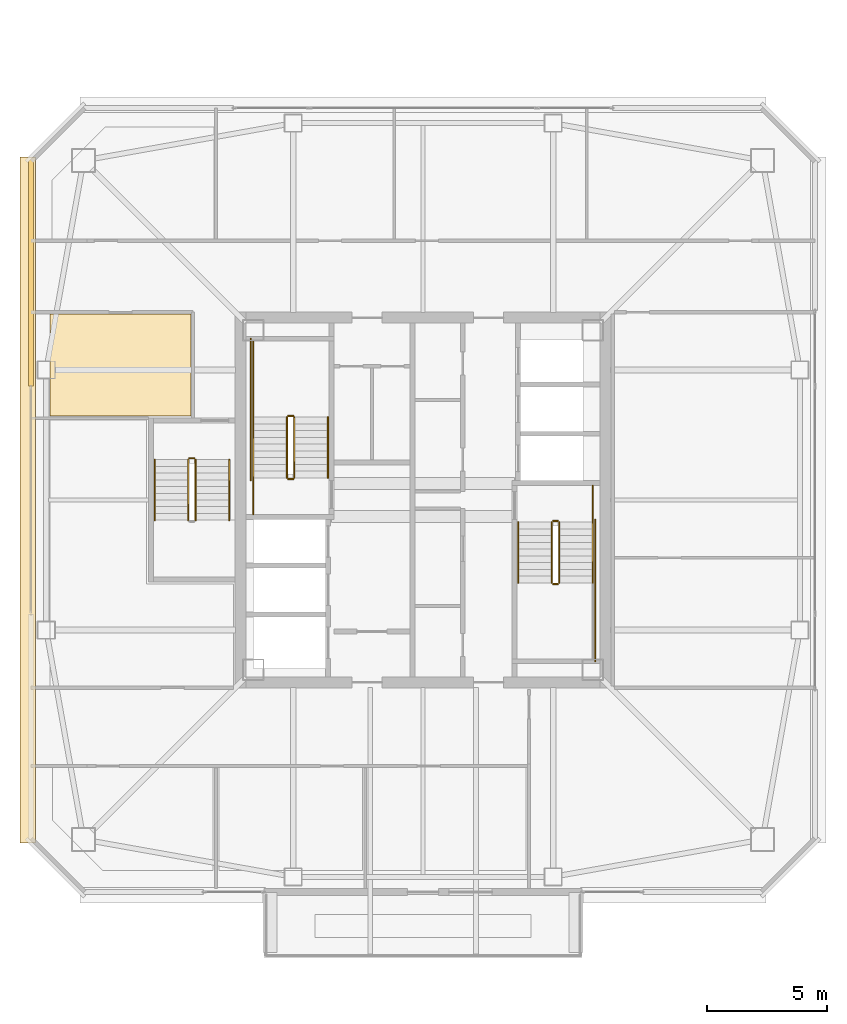
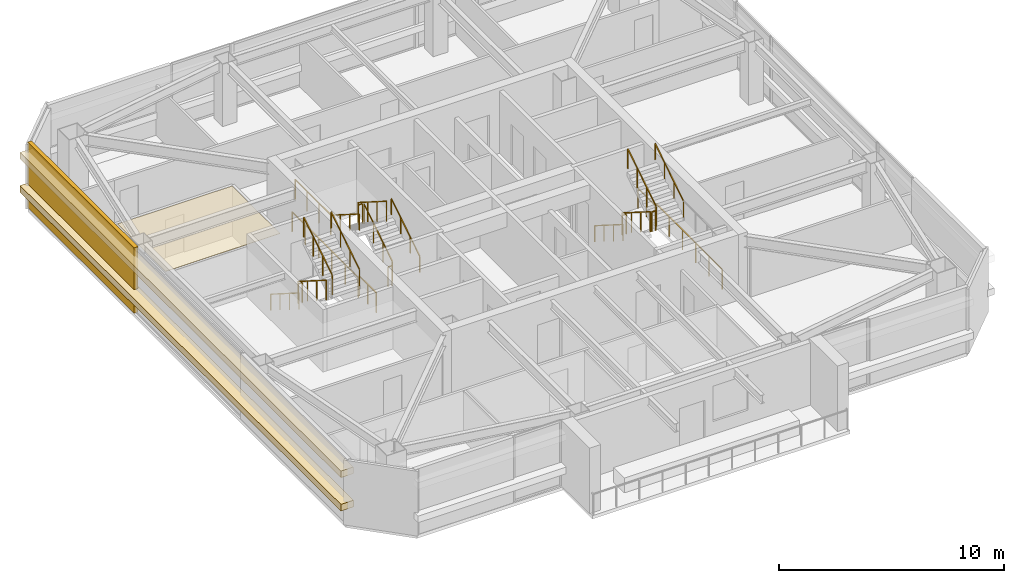
# One storey, part 35 of 39: 22 railings, 4 coverings.
"""IFC4 building model written with IfcOpenShell, lengths in metres."""

import ifcopenshell
import ifcopenshell.guid

model = None  # the IFC model being written
_history = None  # IfcOwnerHistory: only IFC2X3 demands one
_inside = {}  # id of a spatial element -> (the spatial element, [elements in it])
_under = {}  # id of a project, library or spatial element -> (it, [spatial elements below it])
_declared = {}  # id of a project -> (the project, [libraries it declares])
_typed = {}  # id of a type object -> (the type object, [elements of that type])
_made_of = {}  # id of a material, layer set ... -> (it, [elements and type objects made of it])


def new_model(schema):
    """Start an empty IFC model of exactly this schema.

    Asked for "IFC4X3", IfcOpenShell would pick the latest addendum, in which some entities
    have other attributes; the version numbers below select the first issue.
    IFC2X3 requires an IfcOwnerHistory on every rooted entity: one is made here for all.
    """
    global model, _history
    if schema == "IFC4X3":
        model = ifcopenshell.file(schema_version=(4, 3, 0, 0))
    else:
        model = ifcopenshell.file(schema=schema)
    _inside.clear()
    _under.clear()
    _declared.clear()
    _typed.clear()
    _made_of.clear()
    _history = None
    if model.schema == "IFC2X3":
        org = make("IfcOrganization", Name="unknown")
        user = make(
            "IfcPersonAndOrganization",
            ThePerson=make("IfcPerson", FamilyName="unknown"),
            TheOrganization=org,
        )
        app = make(
            "IfcApplication",
            ApplicationDeveloper=org,
            Version="unknown",
            ApplicationFullName="unknown",
            ApplicationIdentifier="unknown",
        )
        _history = make(
            "IfcOwnerHistory",
            OwningUser=user,
            OwningApplication=app,
            ChangeAction="ADDED",
            CreationDate=0,
        )
    return model


def make(cls, **values):
    """One entity of the class cls with the attributes given. An attribute that is None is left unset."""
    return model.create_entity(
        cls, **{name: value for name, value in values.items() if value is not None}
    )


def rooted(cls, **values):
    """An entity with a GlobalId (a new one), such as an element, a storey or a relation."""
    return make(cls, GlobalId=ifcopenshell.guid.new(), OwnerHistory=_history, **values)


def si_unit(unit_type, name, prefix=None):
    """IfcSIUnit, for example si_unit("LENGTHUNIT", "METRE", prefix="MILLI")."""
    return make("IfcSIUnit", UnitType=unit_type, Prefix=prefix, Name=name)


def assignment(units):
    """IfcUnitAssignment: the units of a project."""
    return None if units is None else make("IfcUnitAssignment", Units=units)


def point(xyz):
    """IfcCartesianPoint."""
    return None if xyz is None else make("IfcCartesianPoint", Coordinates=xyz)


def direction(xyz):
    """IfcDirection."""
    return None if xyz is None else make("IfcDirection", DirectionRatios=xyz)


def frame(location, z_axis=None, x_axis=None):
    """IfcAxis2Placement3D, a coordinate frame: its origin and axes. An axis left out is left unset."""
    return make(
        "IfcAxis2Placement3D",
        Location=point(location),
        Axis=direction(z_axis),
        RefDirection=direction(x_axis),
    )


def frame_2d(location, x_axis=None):
    """IfcAxis2Placement2D, a coordinate frame in the plane: its origin and x axis."""
    return make(
        "IfcAxis2Placement2D", Location=point(location), RefDirection=direction(x_axis)
    )


def origin():
    """The frame at (0, 0, 0) with its axes left unset."""
    return frame((0.0, 0.0, 0.0))


def origin_2d():
    """The frame at (0, 0) in the plane with its x axis left unset."""
    return frame_2d((0.0, 0.0))


def place(relative_to, where):
    """IfcLocalPlacement: puts the frame where relative to a parent placement (None: the world)."""
    return make(
        "IfcLocalPlacement", PlacementRelTo=relative_to, RelativePlacement=where
    )


def context(
    kind, dimensions, precision=None, world=None, true_north=None, identifier=None
):
    """IfcGeometricRepresentationContext, for example the 3D "Model" context."""
    return make(
        "IfcGeometricRepresentationContext",
        ContextIdentifier=identifier,
        ContextType=kind,
        CoordinateSpaceDimension=dimensions,
        Precision=precision,
        WorldCoordinateSystem=world,
        TrueNorth=true_north,
    )


def subcontext(parent, identifier, kind, view, scale=None):
    """IfcGeometricRepresentationSubContext, for example "Body" below "Model"."""
    return make(
        "IfcGeometricRepresentationSubContext",
        ContextIdentifier=identifier,
        ContextType=kind,
        ParentContext=parent,
        TargetScale=scale,
        TargetView=view,
    )


def project(units=None, contexts=None):
    """IfcProject with its units and contexts."""
    return rooted(
        "IfcProject",
        Name="project",
        RepresentationContexts=contexts,
        UnitsInContext=assignment(units),
    )


def spatial(cls, under=None, at=None, **own):
    """A site, building, storey or space (cls), placed at a placement, below another one or the project."""
    s = rooted(cls, ObjectPlacement=at, **own)
    if under is not None:
        _under.setdefault(under.id(), (under, []))[1].append(s)
    return s


def polyline(points):
    """IfcPolyline through the points."""
    return make("IfcPolyline", Points=[point(p) for p in points])


def profile(cls, at=None, kind="AREA", **sizes):
    """A parametric profile (cls). Its sizes go by their IFC names, for example OverallWidth=200.0."""
    return make(cls, ProfileType=kind, Position=at, **sizes)


def rectangle(**sizes):
    """IfcRectangleProfileDef."""
    return profile("IfcRectangleProfileDef", **sizes)


def outline(outer, holes=None, kind="AREA"):
    """IfcArbitraryClosedProfileDef: a profile drawn as a closed curve; with holes, ...WithVoids."""
    if holes is None:
        return make("IfcArbitraryClosedProfileDef", ProfileType=kind, OuterCurve=outer)
    return make(
        "IfcArbitraryProfileDefWithVoids",
        ProfileType=kind,
        OuterCurve=outer,
        InnerCurves=holes,
    )


def extrude(swept, where, along, depth):
    """IfcExtrudedAreaSolid: the profile swept, set in the frame where, extruded along a direction by depth."""
    return make(
        "IfcExtrudedAreaSolid",
        SweptArea=swept,
        Position=where,
        ExtrudedDirection=direction(along),
        Depth=depth,
    )


def shape(context_of_items, identifier, shape_type, items):
    """IfcShapeRepresentation: the items that make up one representation, for example the "Body"."""
    return make(
        "IfcShapeRepresentation",
        ContextOfItems=context_of_items,
        RepresentationIdentifier=identifier,
        RepresentationType=shape_type,
        Items=items,
    )


def material(Name=None, Category=None):
    """IfcMaterial."""
    return make("IfcMaterial", Name=Name, Category=Category)


def layer(
    of_material, thickness, ventilated=None, Name=None, Category=None, Priority=None
):
    """IfcMaterialLayer: one layer of a wall or slab, of a material (None: an air gap)."""
    return make(
        "IfcMaterialLayer",
        Material=of_material,
        LayerThickness=thickness,
        IsVentilated=ventilated,
        Name=Name,
        Category=Category,
        Priority=Priority,
    )


def layer_set(layers, Name=None):
    """IfcMaterialLayerSet."""
    return make("IfcMaterialLayerSet", MaterialLayers=layers, LayerSetName=Name)


def made_of(thing, what):
    """Note that an element or type object is made of a material, layer set ...; save() writes the relation."""
    if what is not None:
        _made_of.setdefault(what.id(), (what, []))[1].append(thing)
    return thing


def type_object(cls, material=None, **own):
    """A type object (cls), such as IfcWallType, which elements share."""
    return made_of(rooted(cls, **own), material)


def element(
    cls,
    number,
    at=None,
    inside=None,
    cuts=None,
    type_object=None,
    material=None,
    context=None,
    identifier="Body",
    shape_type=None,
    held_by="IfcProductDefinitionShape",
    body=None,
    shapes=None,
    **own,
):
    """One element of the class cls, such as IfcWall. Its Tag is "e" and its number.

    at: its placement. inside: the storey or other place that contains it. cuts: it is an
    opening in that element (IfcRelVoidsElement). A single representation is given by context,
    identifier, shape_type and body (its items); several are given by shapes. held_by: the class
    of the entity that holds the representations. save() writes the other relations.
    """
    e = rooted(cls, Tag="e%d" % number, ObjectPlacement=at, **own)
    if body is not None:
        shapes = [shape(context, identifier, shape_type, body)]
    if shapes is not None:
        e.Representation = make(held_by, Representations=shapes)
    if inside is not None:
        _inside.setdefault(inside.id(), (inside, []))[1].append(e)
    if cuts is not None:
        rooted(
            "IfcRelVoidsElement", RelatingBuildingElement=cuts, RelatedOpeningElement=e
        )
    if type_object is not None:
        _typed.setdefault(type_object.id(), (type_object, []))[1].append(e)
    return made_of(e, material)


def aggregate(whole, parts):
    """IfcRelAggregates: a whole, such as a stair, and the parts it consists of."""
    return rooted("IfcRelAggregates", RelatingObject=whole, RelatedObjects=parts)


def save(model, path):
    """Write the relations noted so far, then the file.

    IfcRelAggregates (storeys below a building ...), IfcRelContainedInSpatialStructure (elements
    in a storey), IfcRelDefinesByType, IfcRelAssociatesMaterial and IfcRelDeclares: one each for
    every whole, place, type object, material and project.
    """
    for whole, parts in _under.values():
        aggregate(whole, parts)
    for where, things in _inside.values():
        rooted(
            "IfcRelContainedInSpatialStructure",
            RelatedElements=things,
            RelatingStructure=where,
        )
    for kind, things in _typed.values():
        rooted("IfcRelDefinesByType", RelatedObjects=things, RelatingType=kind)
    for what, things in _made_of.values():
        rooted("IfcRelAssociatesMaterial", RelatedObjects=things, RelatingMaterial=what)
    for by, libraries in _declared.values():
        rooted("IfcRelDeclares", RelatingContext=by, RelatedDefinitions=libraries)
    model.write(path)


model = new_model("IFC4")

# Units and contexts
model_context = context("Model", 3, precision=1e-05, world=origin(), true_north=direction((0.0, 1.0)))
body_context = subcontext(model_context, "Body", "Model", "MODEL_VIEW")
ifc_project = project(units=[si_unit("LENGTHUNIT", "METRE"), si_unit("AREAUNIT", "SQUARE_METRE"), si_unit("VOLUMEUNIT", "CUBIC_METRE"), si_unit("PLANEANGLEUNIT", "RADIAN"), si_unit("MASSUNIT", "GRAM", prefix="KILO")], contexts=[model_context])

# Site, building, storey
site_placement = place(None, origin())
site = spatial("IfcSite", under=ifc_project, at=site_placement, CompositionType="ELEMENT")
building_placement = place(site_placement, origin())
building = spatial("IfcBuilding", under=site, at=building_placement, Name="Tashvorn Skyway Center", CompositionType="ELEMENT")
storey_placement = place(building_placement, frame((0.0, 0.0, 225.5)))
storey = spatial("IfcBuildingStorey", under=building, at=storey_placement, Name="L61", CompositionType="ELEMENT", Elevation=225.5)

# Coverings
ifc_material_1 = material(Name="Precast concrete C40/50", Category="concrete")
ifc_layer_1 = layer(ifc_material_1, 0.199951171875)
ifc_layer_set_1 = layer_set([ifc_layer_1], Name="Precast concrete C40/50")
covering_type_1 = type_object("IfcCoveringType", Name="COV-BRACE-CLAD", PredefinedType="CLADDING", material=ifc_layer_set_1)
covering_1_placement = place(storey_placement, frame((25.719970703125, 41.453369140625, 0.0), z_axis=(0.0, 0.0, 1.0), x_axis=(0.0, 1.0, 0.0)))
element("IfcCovering", 1, at=covering_1_placement, inside=storey, type_object=covering_type_1, Name="Tower 1 L61 West Unitised Curtain Wall Mega-Brace Cladding Band 2", PredefinedType="CLADDING", context=body_context, shape_type="SweptSolid", body=[
    extrude(rectangle(XDim=9.453369140625, YDim=0.199951171875, at=origin_2d()), origin(), (0.0, 0.0, 1.0), 3.550048828125),
])
ifc_material_2 = material(Name="Mineral-fibre acoustic ceiling tile on suspended grid")
ifc_layer_2 = layer(ifc_material_2, 0.02001953125)
ifc_layer_set_2 = layer_set([ifc_layer_2], Name="Mineral-fibre acoustic ceiling tile on suspended grid")
covering_type_2 = type_object("IfcCoveringType", Name="COV-CEIL-20", PredefinedType="CEILING", material=ifc_layer_set_2)
covering_2_placement = place(storey_placement, frame((0.0, 0.0, 2.702880859375)))
element("IfcCovering", 2, at=covering_2_placement, inside=storey, type_object=covering_type_2, Name="Tower 1 L61 Catering Pantry Acoustic Ceiling", PredefinedType="CEILING", context=body_context, shape_type="SweptSolid", body=[
    extrude(outline(polyline([(32.3701171875, 39.719970703125), (32.3701171875, 35.47998046875), (26.5, 35.47998046875), (26.5, 39.719970703125), (32.3701171875, 39.719970703125)])), origin(), (0.0, 0.0, 1.0), 0.02001953125),
])
ifc_material_3 = material(Name="Perforated ceramic-coated bronze aluminium solar screen", Category="aluminium")
ifc_layer_3 = layer(ifc_material_3, 0.85009765625)
ifc_layer_set_3 = layer_set([ifc_layer_3], Name="Perforated ceramic-coated bronze aluminium solar screen")
covering_type_3 = type_object("IfcCoveringType", Name="COV-SOLAR-BAND", PredefinedType="CLADDING", material=ifc_layer_set_3)
for number, where, z_axis, x_axis, name in (
    (3, (25.580078125, 32.0, 0.919921875), (0.0, 0.0, 1.0), (0.0, 1.0, 0.0), "L61 Perforated Ceramic-Metal Solar Screen Louvre Band West 1"),
    (4, (25.580078125, 32.0, 2.7197265625), (0.0, 0.0, 1.0), (0.0, 1.0, 0.0), "L61 Perforated Ceramic-Metal Solar Screen Louvre Band West 2"),
):
    element("IfcCovering", number, at=place(storey_placement, frame(where, z_axis=z_axis, x_axis=x_axis)), inside=storey, type_object=covering_type_3, Name=name, PredefinedType="CLADDING", context=body_context, shape_type="SweptSolid", body=[
        extrude(rectangle(XDim=28.47998046875, YDim=0.639892578125, at=origin_2d()), origin(), (0.0, 0.0, 1.0), 0.360107421875),
    ])

# Railings
ifc_material_4 = material(Name="Brushed stainless steel 316", Category="steel")
railing_type_1 = type_object("IfcRailingType", Name="RAIL-HAND-920", PredefinedType="HANDRAIL", material=ifc_material_4)
railing_1_placement = place(storey_placement, frame((38.050048828125, 32.919921875, 0.177490234375)))
element("IfcRailing", 5, at=railing_1_placement, inside=storey, type_object=railing_type_1, Name="L61 ST-T1-1 stair handrail 1", PredefinedType="HANDRAIL", context=body_context, shape_type="SweptSolid", body=[
    extrude(rectangle(XDim=0.048095703125, YDim=0.048095703125, at=origin_2d()), frame((0.0, 0.0, 0.8759765625), z_axis=(0.0, 0.84460694969, 0.535386869969), x_axis=(-1.0, 0.0, 0.0)), (0.0, 0.0, 1.0), 2.983642578125),
    extrude(rectangle(XDim=0.0419921875, YDim=0.0419921875, at=origin_2d()), origin(), (0.0, 0.0, 1.0), 0.851806640625),
    extrude(rectangle(XDim=0.0419921875, YDim=0.0419921875, at=origin_2d()), frame((0.0, 0.840087890625, 0.532470703125)), (0.0, 0.0, 1.0), 0.851806640625),
    extrude(rectangle(XDim=0.0419921875, YDim=0.0419921875, at=origin_2d()), frame((0.0, 1.679931640625, 1.06494140625)), (0.0, 0.0, 1.0), 0.851806640625),
    extrude(rectangle(XDim=0.0419921875, YDim=0.0419921875, at=origin_2d()), frame((0.0, 2.52001953125, 1.597412109375)), (0.0, 0.0, 1.0), 0.851806640625),
])
railing_2_placement = place(storey_placement, frame((34.949951171875, 35.43994140625, 1.952392578125)))
element("IfcRailing", 6, at=railing_2_placement, inside=storey, type_object=railing_type_1, Name="L61 ST-T1-1 stair handrail 2", PredefinedType="HANDRAIL", context=body_context, shape_type="SweptSolid", body=[
    extrude(rectangle(XDim=0.048095703125, YDim=0.048095703125, at=origin_2d()), frame((0.0, 0.0, 0.8759765625), z_axis=(0.0, -0.84456994832, 0.535445237532), x_axis=(1.0, 0.0, 0.0)), (0.0, 0.0, 1.0), 2.98388671875),
    extrude(rectangle(XDim=0.0419921875, YDim=0.0419921875, at=origin_2d()), origin(), (0.0, 0.0, 1.0), 0.851806640625),
    extrude(rectangle(XDim=0.0419921875, YDim=0.0419921875, at=origin_2d()), frame((0.0, -0.840087890625, 0.532470703125)), (0.0, 0.0, 1.0), 0.851806640625),
    extrude(rectangle(XDim=0.0419921875, YDim=0.0419921875, at=origin_2d()), frame((0.0, -1.679931640625, 1.065185546875)), (0.0, 0.0, 1.0), 0.851806640625),
    extrude(rectangle(XDim=0.0419921875, YDim=0.0419921875, at=origin_2d()), frame((0.0, -2.52001953125, 1.59765625)), (0.0, 0.0, 1.0), 0.851806640625),
])
railing_3_placement = place(storey_placement, frame((45.949951171875, 31.080078125, 0.177490234375)))
element("IfcRailing", 7, at=railing_3_placement, inside=storey, type_object=railing_type_1, Name="L61 ST-T1-2 stair handrail 1", PredefinedType="HANDRAIL", context=body_context, shape_type="SweptSolid", body=[
    extrude(rectangle(XDim=0.048095703125, YDim=0.048095703125, at=origin_2d()), frame((0.0, 0.0, 0.8759765625), z_axis=(0.0, -0.84460694969, 0.535386869969), x_axis=(1.0, 0.0, 0.0)), (0.0, 0.0, 1.0), 2.983642578125),
    extrude(rectangle(XDim=0.0419921875, YDim=0.0419921875, at=origin_2d()), origin(), (0.0, 0.0, 1.0), 0.851806640625),
    extrude(rectangle(XDim=0.0419921875, YDim=0.0419921875, at=origin_2d()), frame((0.0, -0.840087890625, 0.532470703125)), (0.0, 0.0, 1.0), 0.851806640625),
    extrude(rectangle(XDim=0.0419921875, YDim=0.0419921875, at=origin_2d()), frame((0.0, -1.679931640625, 1.06494140625)), (0.0, 0.0, 1.0), 0.851806640625),
    extrude(rectangle(XDim=0.0419921875, YDim=0.0419921875, at=origin_2d()), frame((0.0, -2.52001953125, 1.597412109375)), (0.0, 0.0, 1.0), 0.851806640625),
])
railing_4_placement = place(storey_placement, frame((49.050048828125, 28.56005859375, 1.952392578125)))
element("IfcRailing", 8, at=railing_4_placement, inside=storey, type_object=railing_type_1, Name="L61 ST-T1-2 stair handrail 2", PredefinedType="HANDRAIL", context=body_context, shape_type="SweptSolid", body=[
    extrude(rectangle(XDim=0.048095703125, YDim=0.048095703125, at=origin_2d()), frame((0.0, 0.0, 0.8759765625), z_axis=(0.0, 0.84456994832, 0.535445237532), x_axis=(-1.0, 0.0, 0.0)), (0.0, 0.0, 1.0), 2.98388671875),
    extrude(rectangle(XDim=0.0419921875, YDim=0.0419921875, at=origin_2d()), origin(), (0.0, 0.0, 1.0), 0.851806640625),
    extrude(rectangle(XDim=0.0419921875, YDim=0.0419921875, at=origin_2d()), frame((0.0, 0.840087890625, 0.532470703125)), (0.0, 0.0, 1.0), 0.851806640625),
    extrude(rectangle(XDim=0.0419921875, YDim=0.0419921875, at=origin_2d()), frame((0.0, 1.679931640625, 1.065185546875)), (0.0, 0.0, 1.0), 0.851806640625),
    extrude(rectangle(XDim=0.0419921875, YDim=0.0419921875, at=origin_2d()), frame((0.0, 2.52001953125, 1.59765625)), (0.0, 0.0, 1.0), 0.851806640625),
])
railing_5_placement = place(storey_placement, frame((30.85009765625, 33.679931640625, 0.177490234375)))
element("IfcRailing", 9, at=railing_5_placement, inside=storey, type_object=railing_type_1, Name="L61 ST-T1-3 stair handrail 1", PredefinedType="HANDRAIL", context=body_context, shape_type="SweptSolid", body=[
    extrude(rectangle(XDim=0.048095703125, YDim=0.048095703125, at=origin_2d()), frame((0.0, 0.0, 0.8759765625), z_axis=(0.0, -0.84460694969, 0.535386869969), x_axis=(1.0, 0.0, 0.0)), (0.0, 0.0, 1.0), 2.983642578125),
    extrude(rectangle(XDim=0.0419921875, YDim=0.0419921875, at=origin_2d()), origin(), (0.0, 0.0, 1.0), 0.851806640625),
    extrude(rectangle(XDim=0.0419921875, YDim=0.0419921875, at=origin_2d()), frame((0.0, -0.840087890625, 0.532470703125)), (0.0, 0.0, 1.0), 0.851806640625),
    extrude(rectangle(XDim=0.0419921875, YDim=0.0419921875, at=origin_2d()), frame((0.0, -1.679931640625, 1.06494140625)), (0.0, 0.0, 1.0), 0.851806640625),
    extrude(rectangle(XDim=0.0419921875, YDim=0.0419921875, at=origin_2d()), frame((0.0, -2.52001953125, 1.597412109375)), (0.0, 0.0, 1.0), 0.851806640625),
])
railing_6_placement = place(storey_placement, frame((33.949951171875, 31.159912109375, 1.952392578125)))
element("IfcRailing", 10, at=railing_6_placement, inside=storey, type_object=railing_type_1, Name="L61 ST-T1-3 stair handrail 2", PredefinedType="HANDRAIL", context=body_context, shape_type="SweptSolid", body=[
    extrude(rectangle(XDim=0.048095703125, YDim=0.048095703125, at=origin_2d()), frame((0.0, 0.0, 0.8759765625), z_axis=(0.0, 0.84456994832, 0.535445237532), x_axis=(-1.0, 0.0, 0.0)), (0.0, 0.0, 1.0), 2.98388671875),
    extrude(rectangle(XDim=0.0419921875, YDim=0.0419921875, at=origin_2d()), origin(), (0.0, 0.0, 1.0), 0.851806640625),
    extrude(rectangle(XDim=0.0419921875, YDim=0.0419921875, at=origin_2d()), frame((0.0, 0.840087890625, 0.532470703125)), (0.0, 0.0, 1.0), 0.851806640625),
    extrude(rectangle(XDim=0.0419921875, YDim=0.0419921875, at=origin_2d()), frame((0.0, 1.679931640625, 1.065185546875)), (0.0, 0.0, 1.0), 0.851806640625),
    extrude(rectangle(XDim=0.0419921875, YDim=0.0419921875, at=origin_2d()), frame((0.0, 2.52001953125, 1.59765625)), (0.0, 0.0, 1.0), 0.851806640625),
])
ifc_material_5 = material(Name="Painted galvanized steel S355", Category="steel")
railing_type_2 = type_object("IfcRailingType", Name="RAIL-STGUARD-1100", PredefinedType="GUARDRAIL", material=ifc_material_5)
railing_7_placement = place(storey_placement, frame((36.64990234375, 32.919921875, 0.177490234375)))
element("IfcRailing", 11, at=railing_7_placement, inside=storey, type_object=railing_type_2, Name="L61 ST-T1-1 stair guard 1", PredefinedType="GUARDRAIL", context=body_context, shape_type="SweptSolid", body=[
    extrude(rectangle(XDim=0.048095703125, YDim=0.048095703125, at=origin_2d()), frame((0.0, 0.0, 1.076171875), z_axis=(0.0, 0.84460694969, 0.535386869969), x_axis=(-1.0, 0.0, 0.0)), (0.0, 0.0, 1.0), 2.983642578125),
    extrude(rectangle(XDim=0.0419921875, YDim=0.0419921875, at=origin_2d()), origin(), (0.0, 0.0, 1.0), 1.052001953125),
    extrude(rectangle(XDim=0.0419921875, YDim=0.0419921875, at=origin_2d()), frame((0.0, 0.840087890625, 0.532470703125)), (0.0, 0.0, 1.0), 1.052001953125),
    extrude(rectangle(XDim=0.0419921875, YDim=0.0419921875, at=origin_2d()), frame((0.0, 1.679931640625, 1.06494140625)), (0.0, 0.0, 1.0), 1.052001953125),
    extrude(rectangle(XDim=0.0419921875, YDim=0.0419921875, at=origin_2d()), frame((0.0, 2.52001953125, 1.597412109375)), (0.0, 0.0, 1.0), 1.052001953125),
])
railing_8_placement = place(storey_placement, frame((36.60009765625, 35.489990234375, 1.77490234375)))
element("IfcRailing", 12, at=railing_8_placement, inside=storey, type_object=railing_type_2, Name="L61 ST-T1-1 stair guard 2", PredefinedType="GUARDRAIL", context=body_context, shape_type="SweptSolid", body=[
    extrude(rectangle(XDim=0.048095703125, YDim=0.048095703125, at=origin_2d()), frame((0.0, 0.0, 1.076171875), z_axis=(-1.0, 0.0, 0.0), x_axis=(0.0, -1.0, 0.0)), (0.0, 0.0, 1.0), 0.2001953125),
    extrude(rectangle(XDim=0.0419921875, YDim=0.0419921875, at=origin_2d()), origin(), (0.0, 0.0, 1.0), 1.052001953125),
    extrude(rectangle(XDim=0.0419921875, YDim=0.0419921875, at=origin_2d()), frame((-0.2001953125, 0.0, 0.0)), (0.0, 0.0, 1.0), 1.052001953125),
])
railing_9_placement = place(storey_placement, frame((34.949951171875, 35.43994140625, 1.77490234375)))
element("IfcRailing", 13, at=railing_9_placement, inside=storey, type_object=railing_type_2, Name="L61 ST-T1-1 stair guard 3", PredefinedType="GUARDRAIL", context=body_context, shape_type="SweptSolid", body=[
    extrude(rectangle(XDim=0.048095703125, YDim=0.048095703125, at=origin_2d()), frame((0.0, 0.0, 1.076171875), z_axis=(0.0, 1.0, 0.0), x_axis=(-1.0, 0.0, 0.0)), (0.0, 0.0, 1.0), 3.16015625),
    extrude(rectangle(XDim=0.0419921875, YDim=0.0419921875, at=origin_2d()), origin(), (0.0, 0.0, 1.0), 1.052001953125),
    extrude(rectangle(XDim=0.0419921875, YDim=0.0419921875, at=origin_2d()), frame((0.0, 1.053466796875, 0.0)), (0.0, 0.0, 1.0), 1.052001953125),
    extrude(rectangle(XDim=0.0419921875, YDim=0.0419921875, at=origin_2d()), frame((0.0, 2.106689453125, 0.0)), (0.0, 0.0, 1.0), 1.052001953125),
    extrude(rectangle(XDim=0.0419921875, YDim=0.0419921875, at=origin_2d()), frame((0.0, 3.16015625, 0.0)), (0.0, 0.0, 1.0), 1.052001953125),
])
railing_10_placement = place(storey_placement, frame((36.35009765625, 35.43994140625, 1.952392578125)))
element("IfcRailing", 14, at=railing_10_placement, inside=storey, type_object=railing_type_2, Name="L61 ST-T1-1 stair guard 4", PredefinedType="GUARDRAIL", context=body_context, shape_type="SweptSolid", body=[
    extrude(rectangle(XDim=0.048095703125, YDim=0.048095703125, at=origin_2d()), frame((0.0, 0.0, 1.076171875), z_axis=(0.0, -0.84456994832, 0.535445237532), x_axis=(1.0, 0.0, 0.0)), (0.0, 0.0, 1.0), 2.98388671875),
    extrude(rectangle(XDim=0.0419921875, YDim=0.0419921875, at=origin_2d()), origin(), (0.0, 0.0, 1.0), 1.052001953125),
    extrude(rectangle(XDim=0.0419921875, YDim=0.0419921875, at=origin_2d()), frame((0.0, -0.840087890625, 0.532470703125)), (0.0, 0.0, 1.0), 1.052001953125),
    extrude(rectangle(XDim=0.0419921875, YDim=0.0419921875, at=origin_2d()), frame((0.0, -1.679931640625, 1.065185546875)), (0.0, 0.0, 1.0), 1.052001953125),
    extrude(rectangle(XDim=0.0419921875, YDim=0.0419921875, at=origin_2d()), frame((0.0, -2.52001953125, 1.59765625)), (0.0, 0.0, 1.0), 1.052001953125),
])
railing_11_placement = place(storey_placement, frame((36.60009765625, 32.8701171875, 0.0)))
element("IfcRailing", 15, at=railing_11_placement, inside=storey, type_object=railing_type_2, Name="L61 ST-T1-1 stair guard 5", PredefinedType="GUARDRAIL", context=body_context, shape_type="SweptSolid", body=[
    extrude(rectangle(XDim=0.048095703125, YDim=0.048095703125, at=origin_2d()), frame((0.0, 0.0, 1.076171875), z_axis=(-1.0, 0.0, 0.0), x_axis=(0.0, -1.0, 0.0)), (0.0, 0.0, 1.0), 0.2001953125),
    extrude(rectangle(XDim=0.0419921875, YDim=0.0419921875, at=origin_2d()), origin(), (0.0, 0.0, 1.0), 1.052001953125),
    extrude(rectangle(XDim=0.0419921875, YDim=0.0419921875, at=origin_2d()), frame((-0.2001953125, 0.0, 0.0)), (0.0, 0.0, 1.0), 1.052001953125),
])
railing_12_placement = place(storey_placement, frame((34.949951171875, 31.39990234375, 0.0)))
element("IfcRailing", 16, at=railing_12_placement, inside=storey, type_object=railing_type_2, Name="L61 ST-T1-1 stair guard 6", PredefinedType="GUARDRAIL", context=body_context, shape_type="SweptSolid", body=[
    extrude(rectangle(XDim=0.048095703125, YDim=0.048095703125, at=origin_2d()), frame((0.0, 0.0, 1.076171875), z_axis=(0.0, 1.0, 0.0), x_axis=(-1.0, 0.0, 0.0)), (0.0, 0.0, 1.0), 1.52001953125),
    extrude(rectangle(XDim=0.0419921875, YDim=0.0419921875, at=origin_2d()), origin(), (0.0, 0.0, 1.0), 1.052001953125),
    extrude(rectangle(XDim=0.0419921875, YDim=0.0419921875, at=origin_2d()), frame((0.0, 0.760009765625, 0.0)), (0.0, 0.0, 1.0), 1.052001953125),
    extrude(rectangle(XDim=0.0419921875, YDim=0.0419921875, at=origin_2d()), frame((0.0, 1.52001953125, 0.0)), (0.0, 0.0, 1.0), 1.052001953125),
])
railing_13_placement = place(storey_placement, frame((34.85009765625, 32.820068359375, 0.0)))
element("IfcRailing", 17, at=railing_13_placement, inside=storey, type_object=railing_type_2, Name="L61 ST-T1-1 stair guard 7", PredefinedType="GUARDRAIL", context=body_context, shape_type="SweptSolid", body=[
    extrude(rectangle(XDim=0.048095703125, YDim=0.048095703125, at=origin_2d()), frame((0.0, 0.0, 1.076171875), z_axis=(0.0, 1.0, 0.0), x_axis=(-1.0, 0.0, 0.0)), (0.0, 0.0, 1.0), 5.8798828125),
    extrude(rectangle(XDim=0.0419921875, YDim=0.0419921875, at=origin_2d()), origin(), (0.0, 0.0, 1.0), 1.052001953125),
    extrude(rectangle(XDim=0.0419921875, YDim=0.0419921875, at=origin_2d()), frame((0.0, 1.176025390625, 0.0)), (0.0, 0.0, 1.0), 1.052001953125),
    extrude(rectangle(XDim=0.0419921875, YDim=0.0419921875, at=origin_2d()), frame((0.0, 2.35205078125, 0.0)), (0.0, 0.0, 1.0), 1.052001953125),
    extrude(rectangle(XDim=0.0419921875, YDim=0.0419921875, at=origin_2d()), frame((0.0, 3.52783203125, 0.0)), (0.0, 0.0, 1.0), 1.052001953125),
    extrude(rectangle(XDim=0.0419921875, YDim=0.0419921875, at=origin_2d()), frame((0.0, 4.703857421875, 0.0)), (0.0, 0.0, 1.0), 1.052001953125),
    extrude(rectangle(XDim=0.0419921875, YDim=0.0419921875, at=origin_2d()), frame((0.0, 5.8798828125, 0.0)), (0.0, 0.0, 1.0), 1.052001953125),
])
railing_14_placement = place(storey_placement, frame((47.35009765625, 31.080078125, 0.177490234375)))
element("IfcRailing", 18, at=railing_14_placement, inside=storey, type_object=railing_type_2, Name="L61 ST-T1-2 stair guard 1", PredefinedType="GUARDRAIL", context=body_context, shape_type="SweptSolid", body=[
    extrude(rectangle(XDim=0.048095703125, YDim=0.048095703125, at=origin_2d()), frame((0.0, 0.0, 1.076171875), z_axis=(0.0, -0.84460694969, 0.535386869969), x_axis=(1.0, 0.0, 0.0)), (0.0, 0.0, 1.0), 2.983642578125),
    extrude(rectangle(XDim=0.0419921875, YDim=0.0419921875, at=origin_2d()), origin(), (0.0, 0.0, 1.0), 1.052001953125),
    extrude(rectangle(XDim=0.0419921875, YDim=0.0419921875, at=origin_2d()), frame((0.0, -0.840087890625, 0.532470703125)), (0.0, 0.0, 1.0), 1.052001953125),
    extrude(rectangle(XDim=0.0419921875, YDim=0.0419921875, at=origin_2d()), frame((0.0, -1.679931640625, 1.06494140625)), (0.0, 0.0, 1.0), 1.052001953125),
    extrude(rectangle(XDim=0.0419921875, YDim=0.0419921875, at=origin_2d()), frame((0.0, -2.52001953125, 1.597412109375)), (0.0, 0.0, 1.0), 1.052001953125),
])
railing_15_placement = place(storey_placement, frame((47.39990234375, 28.510009765625, 1.77490234375)))
element("IfcRailing", 19, at=railing_15_placement, inside=storey, type_object=railing_type_2, Name="L61 ST-T1-2 stair guard 2", PredefinedType="GUARDRAIL", context=body_context, shape_type="SweptSolid", body=[
    extrude(rectangle(XDim=0.048095703125, YDim=0.048095703125, at=origin_2d()), frame((0.0, 0.0, 1.076171875), z_axis=(1.0, 0.0, 0.0), x_axis=(0.0, 1.0, 0.0)), (0.0, 0.0, 1.0), 0.2001953125),
    extrude(rectangle(XDim=0.0419921875, YDim=0.0419921875, at=origin_2d()), origin(), (0.0, 0.0, 1.0), 1.052001953125),
    extrude(rectangle(XDim=0.0419921875, YDim=0.0419921875, at=origin_2d()), frame((0.2001953125, 0.0, 0.0)), (0.0, 0.0, 1.0), 1.052001953125),
])
railing_16_placement = place(storey_placement, frame((47.64990234375, 28.56005859375, 1.952392578125)))
element("IfcRailing", 20, at=railing_16_placement, inside=storey, type_object=railing_type_2, Name="L61 ST-T1-2 stair guard 4", PredefinedType="GUARDRAIL", context=body_context, shape_type="SweptSolid", body=[
    extrude(rectangle(XDim=0.048095703125, YDim=0.048095703125, at=origin_2d()), frame((0.0, 0.0, 1.076171875), z_axis=(0.0, 0.84456994832, 0.535445237532), x_axis=(-1.0, 0.0, 0.0)), (0.0, 0.0, 1.0), 2.98388671875),
    extrude(rectangle(XDim=0.0419921875, YDim=0.0419921875, at=origin_2d()), origin(), (0.0, 0.0, 1.0), 1.052001953125),
    extrude(rectangle(XDim=0.0419921875, YDim=0.0419921875, at=origin_2d()), frame((0.0, 0.840087890625, 0.532470703125)), (0.0, 0.0, 1.0), 1.052001953125),
    extrude(rectangle(XDim=0.0419921875, YDim=0.0419921875, at=origin_2d()), frame((0.0, 1.679931640625, 1.065185546875)), (0.0, 0.0, 1.0), 1.052001953125),
    extrude(rectangle(XDim=0.0419921875, YDim=0.0419921875, at=origin_2d()), frame((0.0, 2.52001953125, 1.59765625)), (0.0, 0.0, 1.0), 1.052001953125),
])
railing_17_placement = place(storey_placement, frame((47.39990234375, 31.1298828125, 0.0)))
element("IfcRailing", 21, at=railing_17_placement, inside=storey, type_object=railing_type_2, Name="L61 ST-T1-2 stair guard 5", PredefinedType="GUARDRAIL", context=body_context, shape_type="SweptSolid", body=[
    extrude(rectangle(XDim=0.048095703125, YDim=0.048095703125, at=origin_2d()), frame((0.0, 0.0, 1.076171875), z_axis=(1.0, 0.0, 0.0), x_axis=(0.0, 1.0, 0.0)), (0.0, 0.0, 1.0), 0.2001953125),
    extrude(rectangle(XDim=0.0419921875, YDim=0.0419921875, at=origin_2d()), origin(), (0.0, 0.0, 1.0), 1.052001953125),
    extrude(rectangle(XDim=0.0419921875, YDim=0.0419921875, at=origin_2d()), frame((0.2001953125, 0.0, 0.0)), (0.0, 0.0, 1.0), 1.052001953125),
])
railing_18_placement = place(storey_placement, frame((49.050048828125, 32.60009765625, 0.0)))
element("IfcRailing", 22, at=railing_18_placement, inside=storey, type_object=railing_type_2, Name="L61 ST-T1-2 stair guard 6", PredefinedType="GUARDRAIL", context=body_context, shape_type="SweptSolid", body=[
    extrude(rectangle(XDim=0.048095703125, YDim=0.048095703125, at=origin_2d()), frame((0.0, 0.0, 1.076171875), z_axis=(0.0, -1.0, 0.0), x_axis=(1.0, 0.0, 0.0)), (0.0, 0.0, 1.0), 1.52001953125),
    extrude(rectangle(XDim=0.0419921875, YDim=0.0419921875, at=origin_2d()), origin(), (0.0, 0.0, 1.0), 1.052001953125),
    extrude(rectangle(XDim=0.0419921875, YDim=0.0419921875, at=origin_2d()), frame((0.0, -0.760009765625, 0.0)), (0.0, 0.0, 1.0), 1.052001953125),
    extrude(rectangle(XDim=0.0419921875, YDim=0.0419921875, at=origin_2d()), frame((0.0, -1.52001953125, 0.0)), (0.0, 0.0, 1.0), 1.052001953125),
])
railing_19_placement = place(storey_placement, frame((49.14990234375, 31.179931640625, 0.0)))
element("IfcRailing", 23, at=railing_19_placement, inside=storey, type_object=railing_type_2, Name="L61 ST-T1-2 stair guard 7", PredefinedType="GUARDRAIL", context=body_context, shape_type="SweptSolid", body=[
    extrude(rectangle(XDim=0.048095703125, YDim=0.048095703125, at=origin_2d()), frame((0.0, 0.0, 1.076171875), z_axis=(0.0, -1.0, 0.0), x_axis=(1.0, 0.0, 0.0)), (0.0, 0.0, 1.0), 5.8798828125),
    extrude(rectangle(XDim=0.0419921875, YDim=0.0419921875, at=origin_2d()), origin(), (0.0, 0.0, 1.0), 1.052001953125),
    extrude(rectangle(XDim=0.0419921875, YDim=0.0419921875, at=origin_2d()), frame((0.0, -1.176025390625, 0.0)), (0.0, 0.0, 1.0), 1.052001953125),
    extrude(rectangle(XDim=0.0419921875, YDim=0.0419921875, at=origin_2d()), frame((0.0, -2.35205078125, 0.0)), (0.0, 0.0, 1.0), 1.052001953125),
    extrude(rectangle(XDim=0.0419921875, YDim=0.0419921875, at=origin_2d()), frame((0.0, -3.52783203125, 0.0)), (0.0, 0.0, 1.0), 1.052001953125),
    extrude(rectangle(XDim=0.0419921875, YDim=0.0419921875, at=origin_2d()), frame((0.0, -4.703857421875, 0.0)), (0.0, 0.0, 1.0), 1.052001953125),
    extrude(rectangle(XDim=0.0419921875, YDim=0.0419921875, at=origin_2d()), frame((0.0, -5.8798828125, 0.0)), (0.0, 0.0, 1.0), 1.052001953125),
])
railing_20_placement = place(storey_placement, frame((32.25, 33.679931640625, 0.177490234375)))
element("IfcRailing", 24, at=railing_20_placement, inside=storey, type_object=railing_type_2, Name="L61 ST-T1-3 stair guard 1", PredefinedType="GUARDRAIL", context=body_context, shape_type="SweptSolid", body=[
    extrude(rectangle(XDim=0.048095703125, YDim=0.048095703125, at=origin_2d()), frame((0.0, 0.0, 1.076171875), z_axis=(0.0, -0.84460694969, 0.535386869969), x_axis=(1.0, 0.0, 0.0)), (0.0, 0.0, 1.0), 2.983642578125),
    extrude(rectangle(XDim=0.0419921875, YDim=0.0419921875, at=origin_2d()), origin(), (0.0, 0.0, 1.0), 1.052001953125),
    extrude(rectangle(XDim=0.0419921875, YDim=0.0419921875, at=origin_2d()), frame((0.0, -0.840087890625, 0.532470703125)), (0.0, 0.0, 1.0), 1.052001953125),
    extrude(rectangle(XDim=0.0419921875, YDim=0.0419921875, at=origin_2d()), frame((0.0, -1.679931640625, 1.06494140625)), (0.0, 0.0, 1.0), 1.052001953125),
    extrude(rectangle(XDim=0.0419921875, YDim=0.0419921875, at=origin_2d()), frame((0.0, -2.52001953125, 1.597412109375)), (0.0, 0.0, 1.0), 1.052001953125),
])
railing_21_placement = place(storey_placement, frame((32.550048828125, 31.159912109375, 1.952392578125)))
element("IfcRailing", 25, at=railing_21_placement, inside=storey, type_object=railing_type_2, Name="L61 ST-T1-3 stair guard 3", PredefinedType="GUARDRAIL", context=body_context, shape_type="SweptSolid", body=[
    extrude(rectangle(XDim=0.048095703125, YDim=0.048095703125, at=origin_2d()), frame((0.0, 0.0, 1.076171875), z_axis=(0.0, 0.84456994832, 0.535445237532), x_axis=(-1.0, 0.0, 0.0)), (0.0, 0.0, 1.0), 2.98388671875),
    extrude(rectangle(XDim=0.0419921875, YDim=0.0419921875, at=origin_2d()), origin(), (0.0, 0.0, 1.0), 1.052001953125),
    extrude(rectangle(XDim=0.0419921875, YDim=0.0419921875, at=origin_2d()), frame((0.0, 0.840087890625, 0.532470703125)), (0.0, 0.0, 1.0), 1.052001953125),
    extrude(rectangle(XDim=0.0419921875, YDim=0.0419921875, at=origin_2d()), frame((0.0, 1.679931640625, 1.065185546875)), (0.0, 0.0, 1.0), 1.052001953125),
    extrude(rectangle(XDim=0.0419921875, YDim=0.0419921875, at=origin_2d()), frame((0.0, 2.52001953125, 1.59765625)), (0.0, 0.0, 1.0), 1.052001953125),
])
railing_22_placement = place(storey_placement, frame((32.300048828125, 33.72998046875, 0.0)))
element("IfcRailing", 26, at=railing_22_placement, inside=storey, type_object=railing_type_2, Name="L61 ST-T1-3 stair guard 4", PredefinedType="GUARDRAIL", context=body_context, shape_type="SweptSolid", body=[
    extrude(rectangle(XDim=0.048095703125, YDim=0.048095703125, at=origin_2d()), frame((0.0, 0.0, 1.076171875), z_axis=(1.0, 0.0, 0.0), x_axis=(0.0, 1.0, 0.0)), (0.0, 0.0, 1.0), 0.199951171875),
    extrude(rectangle(XDim=0.0419921875, YDim=0.0419921875, at=origin_2d()), origin(), (0.0, 0.0, 1.0), 1.052001953125),
    extrude(rectangle(XDim=0.0419921875, YDim=0.0419921875, at=origin_2d()), frame((0.199951171875, 0.0, 0.0)), (0.0, 0.0, 1.0), 1.052001953125),
])

save(model, "model.ifc")
